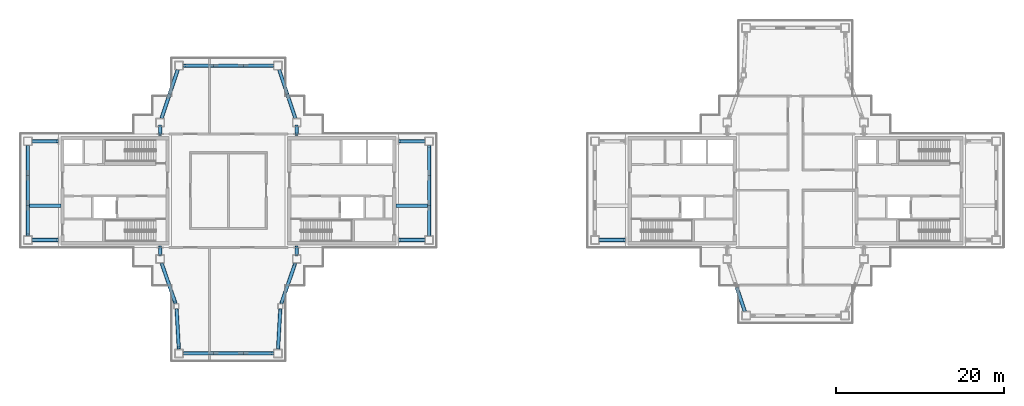
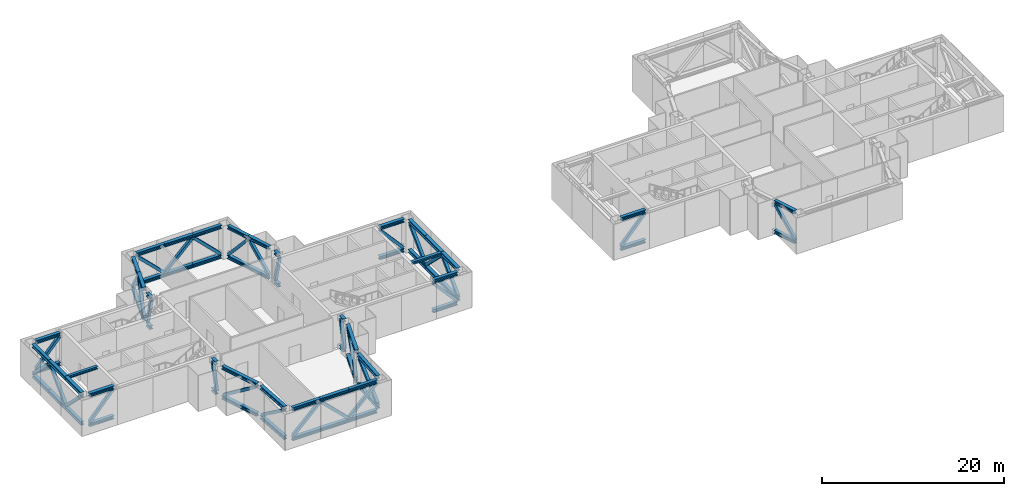
# One storey, part 3 of 18: 90 members, 2 beams.
"""IFC4 building model written with IfcOpenShell, lengths in metres."""

from ifc_helpers import new_model, si_unit, direction, frame, origin, origin_2d, place, context, subcontext, project, spatial, hollow_rectangle, i_section, extrude, material, material_profile, profile_set, type_object, element, save


model = new_model("IFC4")

# Units and contexts
model_context = context("Model", 3, precision=1e-05, world=origin(), true_north=direction((0.0, 1.0)))
body_context = subcontext(model_context, "Body", "Model", "MODEL_VIEW")
ifc_project = project(units=[si_unit("LENGTHUNIT", "METRE"), si_unit("AREAUNIT", "SQUARE_METRE"), si_unit("VOLUMEUNIT", "CUBIC_METRE"), si_unit("PLANEANGLEUNIT", "RADIAN"), si_unit("MASSUNIT", "GRAM", prefix="KILO")], contexts=[model_context])

# Site, building, storey
site_placement = place(None, origin())
site = spatial("IfcSite", under=ifc_project, at=site_placement, CompositionType="ELEMENT")
building_placement = place(site_placement, origin())
building = spatial("IfcBuilding", under=site, at=building_placement, Name="Shamsa Quay Exchange Towers", CompositionType="ELEMENT")
storey_placement = place(building_placement, frame((0.0, 0.0, 225.60009765625)))
storey = spatial("IfcBuildingStorey", under=building, at=storey_placement, Name="L54", CompositionType="ELEMENT", Elevation=225.60009765625)

# Members
ifc_material = material(Name="Steel S355", Category="steel")
ifc_material_profile_1 = material_profile(ifc_material, i_section(OverallWidth=0.42138671875, OverallDepth=0.465087890625, WebThickness=0.044921875, FlangeThickness=0.072021484375, at=origin_2d()), Name="W14x398")
ifc_profile_set_1 = profile_set([ifc_material_profile_1], Name="Steel S355")
member_type_1 = type_object("IfcMemberType", Name="Belt chord W14x398", PredefinedType="CHORD", material=ifc_profile_set_1)
for number, where, z_axis, x_axis, name in (
    (1, (-41.702880859375, -8.625, 4.21728515625), (0.325698743576, -0.945473600072, 0.0), (0.945473600072, 0.325698743576, 0.0), "Belt truss chord T1 L54 3"),
    (2, (-41.702880859375, -8.625, 0.232421875), (0.325698743576, -0.945473600072, 0.0), (0.945473600072, 0.325698743576, 0.0), "Belt truss chord T1 L54 3"),
):
    element("IfcMember", number, at=place(storey_placement, frame(where, z_axis=z_axis, x_axis=x_axis)), inside=storey, type_object=member_type_1, Name=name, PredefinedType="CHORD", context=body_context, shape_type="SweptSolid", body=[
        extrude(i_section(OverallWidth=0.42138671875, OverallDepth=0.465087890625, WebThickness=0.044921875, FlangeThickness=0.072021484375, at=origin_2d()), origin(), (0.0, 0.0, 1.0), 5.103271484375),
    ])
for number, where, z_axis, x_axis, name in (
    (3, (-39.9208984375, -14.050048828125, 4.21728515625), (0.055472817747, -0.99846019775, 0.0), (0.99846019775, 0.055472817747, 0.0), "Belt truss chord T1 L54 4"),
    (4, (-39.9208984375, -14.050048828125, 0.232421875), (0.055472817747, -0.99846019775, 0.0), (0.99846019775, 0.055472817747, 0.0), "Belt truss chord T1 L54 4"),
):
    element("IfcMember", number, at=place(storey_placement, frame(where, z_axis=z_axis, x_axis=x_axis)), inside=storey, type_object=member_type_1, Name=name, PredefinedType="CHORD", context=body_context, shape_type="SweptSolid", body=[
        extrude(i_section(OverallWidth=0.42138671875, OverallDepth=0.465087890625, WebThickness=0.044921875, FlangeThickness=0.072021484375, at=origin_2d()), origin(), (0.0, 0.0, 1.0), 4.832275390625),
    ])
for number, where, z_axis, x_axis, name in (
    (5, (-39.125, -19.375, 4.21728515625), (1.0, 0.0, 0.0), (0.0, 1.0, 0.0), "Belt truss chord T1 L54 5"),
    (6, (-39.125, -19.375, 0.232421875), (1.0, 0.0, 0.0), (0.0, 1.0, 0.0), "Belt truss chord T1 L54 5"),
):
    element("IfcMember", number, at=place(storey_placement, frame(where, z_axis=z_axis, x_axis=x_axis)), inside=storey, type_object=member_type_1, Name=name, PredefinedType="CHORD", context=body_context, shape_type="SweptSolid", body=[
        extrude(i_section(OverallWidth=0.42138671875, OverallDepth=0.465087890625, WebThickness=0.044921875, FlangeThickness=0.072021484375, at=origin_2d()), origin(), (0.0, 0.0, 1.0), 3.583251953125),
    ])
for number, where, z_axis, x_axis, name in (
    (7, (-35.541748046875, -19.375, 4.21728515625), (1.0, 0.0, 0.0), (0.0, 1.0, 0.0), "Belt truss chord T1 L54 5"),
    (8, (-35.541748046875, -19.375, 0.232421875), (1.0, 0.0, 0.0), (0.0, 1.0, 0.0), "Belt truss chord T1 L54 5"),
):
    element("IfcMember", number, at=place(storey_placement, frame(where, z_axis=z_axis, x_axis=x_axis)), inside=storey, type_object=member_type_1, Name=name, PredefinedType="CHORD", context=body_context, shape_type="SweptSolid", body=[
        extrude(i_section(OverallWidth=0.42138671875, OverallDepth=0.465087890625, WebThickness=0.044921875, FlangeThickness=0.072021484375, at=origin_2d()), origin(), (0.0, 0.0, 1.0), 3.58349609375),
    ])
for number, where, z_axis, x_axis, name in (
    (9, (-31.958251953125, -19.375, 4.21728515625), (1.0, 0.0, 0.0), (0.0, 1.0, 0.0), "Belt truss chord T1 L54 5"),
    (10, (-31.958251953125, -19.375, 0.232421875), (1.0, 0.0, 0.0), (0.0, 1.0, 0.0), "Belt truss chord T1 L54 5"),
):
    element("IfcMember", number, at=place(storey_placement, frame(where, z_axis=z_axis, x_axis=x_axis)), inside=storey, type_object=member_type_1, Name=name, PredefinedType="CHORD", context=body_context, shape_type="SweptSolid", body=[
        extrude(i_section(OverallWidth=0.42138671875, OverallDepth=0.465087890625, WebThickness=0.044921875, FlangeThickness=0.072021484375, at=origin_2d()), origin(), (0.0, 0.0, 1.0), 3.583251953125),
    ])
for number, where, z_axis, x_axis, name in (
    (11, (-27.84716796875, -18.875, 4.21728515625), (0.055472817747, 0.99846019775, 0.0), (-0.99846019775, 0.055472817747, 0.0), "Belt truss chord T1 L54 6"),
    (12, (-27.84716796875, -18.875, 0.232421875), (0.055472817747, 0.99846019775, 0.0), (-0.99846019775, 0.055472817747, 0.0), "Belt truss chord T1 L54 6"),
):
    element("IfcMember", number, at=place(storey_placement, frame(where, z_axis=z_axis, x_axis=x_axis)), inside=storey, type_object=member_type_1, Name=name, PredefinedType="CHORD", context=body_context, shape_type="SweptSolid", body=[
        extrude(i_section(OverallWidth=0.42138671875, OverallDepth=0.465087890625, WebThickness=0.044921875, FlangeThickness=0.072021484375, at=origin_2d()), origin(), (0.0, 0.0, 1.0), 4.832275390625),
    ])
for number, where, z_axis, x_axis, name in (
    (13, (-27.459228515625, -13.449951171875, 4.21728515625), (0.325698743576, 0.945473600072, 0.0), (-0.945473600072, 0.325698743576, 0.0), "Belt truss chord T1 L54 7"),
    (14, (-27.459228515625, -13.449951171875, 0.232421875), (0.325698743576, 0.945473600072, 0.0), (-0.945473600072, 0.325698743576, 0.0), "Belt truss chord T1 L54 7"),
):
    element("IfcMember", number, at=place(storey_placement, frame(where, z_axis=z_axis, x_axis=x_axis)), inside=storey, type_object=member_type_1, Name=name, PredefinedType="CHORD", context=body_context, shape_type="SweptSolid", body=[
        extrude(i_section(OverallWidth=0.42138671875, OverallDepth=0.465087890625, WebThickness=0.044921875, FlangeThickness=0.072021484375, at=origin_2d()), origin(), (0.0, 0.0, 1.0), 5.103271484375),
    ])
for number, where, z_axis, x_axis, name in (
    (15, (-9.875, -5.375, 4.21728515625), (0.0, 1.0, 0.0), (-1.0, 0.0, 0.0), "Belt truss chord T1 L54 10"),
    (16, (-9.875, -5.375, 0.232421875), (0.0, 1.0, 0.0), (-1.0, 0.0, 0.0), "Belt truss chord T1 L54 10"),
):
    element("IfcMember", number, at=place(storey_placement, frame(where, z_axis=z_axis, x_axis=x_axis)), inside=storey, type_object=member_type_1, Name=name, PredefinedType="CHORD", context=body_context, shape_type="SweptSolid", body=[
        extrude(i_section(OverallWidth=0.42138671875, OverallDepth=0.465087890625, WebThickness=0.044921875, FlangeThickness=0.072021484375, at=origin_2d()), origin(), (0.0, 0.0, 1.0), 3.583251953125),
    ])
for number, where, z_axis, x_axis, name in (
    (17, (-9.875, -1.791748046875, 4.21728515625), (0.0, 1.0, 0.0), (-1.0, 0.0, 0.0), "Belt truss chord T1 L54 10"),
    (18, (-9.875, -1.791748046875, 0.232421875), (0.0, 1.0, 0.0), (-1.0, 0.0, 0.0), "Belt truss chord T1 L54 10"),
):
    element("IfcMember", number, at=place(storey_placement, frame(where, z_axis=z_axis, x_axis=x_axis)), inside=storey, type_object=member_type_1, Name=name, PredefinedType="CHORD", context=body_context, shape_type="SweptSolid", body=[
        extrude(i_section(OverallWidth=0.42138671875, OverallDepth=0.465087890625, WebThickness=0.044921875, FlangeThickness=0.072021484375, at=origin_2d()), origin(), (0.0, 0.0, 1.0), 3.58349609375),
    ])
for number, where, z_axis, x_axis, name in (
    (19, (-9.875, 1.791748046875, 4.21728515625), (0.0, 1.0, 0.0), (-1.0, 0.0, 0.0), "Belt truss chord T1 L54 10"),
    (20, (-9.875, 1.791748046875, 0.232421875), (0.0, 1.0, 0.0), (-1.0, 0.0, 0.0), "Belt truss chord T1 L54 10"),
):
    element("IfcMember", number, at=place(storey_placement, frame(where, z_axis=z_axis, x_axis=x_axis)), inside=storey, type_object=member_type_1, Name=name, PredefinedType="CHORD", context=body_context, shape_type="SweptSolid", body=[
        extrude(i_section(OverallWidth=0.42138671875, OverallDepth=0.465087890625, WebThickness=0.044921875, FlangeThickness=0.072021484375, at=origin_2d()), origin(), (0.0, 0.0, 1.0), 3.583251953125),
    ])
for number, where, z_axis, x_axis, name in (
    (21, (-25.791748046875, 8.625, 4.21728515625), (-0.316203597486, 0.948691353885, 0.0), (-0.948691353885, -0.316203597486, 0.0), "Belt truss chord T1 L54 13"),
    (22, (-25.791748046875, 8.625, 0.232421875), (-0.316203597486, 0.948691353885, 0.0), (-0.948691353885, -0.316203597486, 0.0), "Belt truss chord T1 L54 13"),
    (23, (-26.75, 11.5, 4.21728515625), (-0.316203597486, 0.948691353885, 0.0), (-0.948691353885, -0.316203597486, 0.0), "Belt truss chord T1 L54 13"),
    (24, (-26.75, 11.5, 0.232421875), (-0.316203597486, 0.948691353885, 0.0), (-0.948691353885, -0.316203597486, 0.0), "Belt truss chord T1 L54 13"),
):
    element("IfcMember", number, at=place(storey_placement, frame(where, z_axis=z_axis, x_axis=x_axis)), inside=storey, type_object=member_type_1, Name=name, PredefinedType="CHORD", context=body_context, shape_type="SweptSolid", body=[
        extrude(i_section(OverallWidth=0.42138671875, OverallDepth=0.465087890625, WebThickness=0.044921875, FlangeThickness=0.072021484375, at=origin_2d()), origin(), (0.0, 0.0, 1.0), 3.030517578125),
    ])
for number, where, z_axis, x_axis, name in (
    (25, (-28.375, 14.875, 4.21728515625), (-1.0, 0.0, 0.0), (0.0, -1.0, 0.0), "Belt truss chord T1 L54 14"),
    (26, (-28.375, 14.875, 0.232421875), (-1.0, 0.0, 0.0), (0.0, -1.0, 0.0), "Belt truss chord T1 L54 14"),
):
    element("IfcMember", number, at=place(storey_placement, frame(where, z_axis=z_axis, x_axis=x_axis)), inside=storey, type_object=member_type_1, Name=name, PredefinedType="CHORD", context=body_context, shape_type="SweptSolid", body=[
        extrude(i_section(OverallWidth=0.42138671875, OverallDepth=0.465087890625, WebThickness=0.044921875, FlangeThickness=0.072021484375, at=origin_2d()), origin(), (0.0, 0.0, 1.0), 3.583251953125),
    ])
for number, where, z_axis, x_axis, name in (
    (27, (-31.958251953125, 14.875, 4.21728515625), (-1.0, 0.0, 0.0), (0.0, -1.0, 0.0), "Belt truss chord T1 L54 14"),
    (28, (-31.958251953125, 14.875, 0.232421875), (-1.0, 0.0, 0.0), (0.0, -1.0, 0.0), "Belt truss chord T1 L54 14"),
):
    element("IfcMember", number, at=place(storey_placement, frame(where, z_axis=z_axis, x_axis=x_axis)), inside=storey, type_object=member_type_1, Name=name, PredefinedType="CHORD", context=body_context, shape_type="SweptSolid", body=[
        extrude(i_section(OverallWidth=0.42138671875, OverallDepth=0.465087890625, WebThickness=0.044921875, FlangeThickness=0.072021484375, at=origin_2d()), origin(), (0.0, 0.0, 1.0), 3.58349609375),
    ])
for number, where, z_axis, x_axis, name in (
    (29, (-35.541748046875, 14.875, 4.21728515625), (-1.0, 0.0, 0.0), (0.0, -1.0, 0.0), "Belt truss chord T1 L54 14"),
    (30, (-35.541748046875, 14.875, 0.232421875), (-1.0, 0.0, 0.0), (0.0, -1.0, 0.0), "Belt truss chord T1 L54 14"),
):
    element("IfcMember", number, at=place(storey_placement, frame(where, z_axis=z_axis, x_axis=x_axis)), inside=storey, type_object=member_type_1, Name=name, PredefinedType="CHORD", context=body_context, shape_type="SweptSolid", body=[
        extrude(i_section(OverallWidth=0.42138671875, OverallDepth=0.465087890625, WebThickness=0.044921875, FlangeThickness=0.072021484375, at=origin_2d()), origin(), (0.0, 0.0, 1.0), 3.583251953125),
    ])
for number, where, z_axis, x_axis, name in (
    (31, (-39.791748046875, 14.375, 4.21728515625), (-0.316203597486, -0.948691353885, 0.0), (0.948691353885, -0.316203597486, 0.0), "Belt truss chord T1 L54 15"),
    (32, (-39.791748046875, 14.375, 0.232421875), (-0.316203597486, -0.948691353885, 0.0), (0.948691353885, -0.316203597486, 0.0), "Belt truss chord T1 L54 15"),
    (33, (-40.75, 11.5, 4.21728515625), (-0.316203597486, -0.948691353885, 0.0), (0.948691353885, -0.316203597486, 0.0), "Belt truss chord T1 L54 15"),
    (34, (-40.75, 11.5, 0.232421875), (-0.316203597486, -0.948691353885, 0.0), (0.948691353885, -0.316203597486, 0.0), "Belt truss chord T1 L54 15"),
):
    element("IfcMember", number, at=place(storey_placement, frame(where, z_axis=z_axis, x_axis=x_axis)), inside=storey, type_object=member_type_1, Name=name, PredefinedType="CHORD", context=body_context, shape_type="SweptSolid", body=[
        extrude(i_section(OverallWidth=0.42138671875, OverallDepth=0.465087890625, WebThickness=0.044921875, FlangeThickness=0.072021484375, at=origin_2d()), origin(), (0.0, 0.0, 1.0), 3.030517578125),
    ])
for number, where, z_axis, x_axis, name in (
    (35, (-57.625, 5.375, 4.21728515625), (0.0, -1.0, 0.0), (1.0, 0.0, 0.0), "Belt truss chord T1 L54 18"),
    (36, (-57.625, 5.375, 0.232421875), (0.0, -1.0, 0.0), (1.0, 0.0, 0.0), "Belt truss chord T1 L54 18"),
):
    element("IfcMember", number, at=place(storey_placement, frame(where, z_axis=z_axis, x_axis=x_axis)), inside=storey, type_object=member_type_1, Name=name, PredefinedType="CHORD", context=body_context, shape_type="SweptSolid", body=[
        extrude(i_section(OverallWidth=0.42138671875, OverallDepth=0.465087890625, WebThickness=0.044921875, FlangeThickness=0.072021484375, at=origin_2d()), origin(), (0.0, 0.0, 1.0), 3.583251953125),
    ])
for number, where, z_axis, x_axis, name in (
    (37, (-57.625, 1.791748046875, 4.21728515625), (0.0, -1.0, 0.0), (1.0, 0.0, 0.0), "Belt truss chord T1 L54 18"),
    (38, (-57.625, 1.791748046875, 0.232421875), (0.0, -1.0, 0.0), (1.0, 0.0, 0.0), "Belt truss chord T1 L54 18"),
):
    element("IfcMember", number, at=place(storey_placement, frame(where, z_axis=z_axis, x_axis=x_axis)), inside=storey, type_object=member_type_1, Name=name, PredefinedType="CHORD", context=body_context, shape_type="SweptSolid", body=[
        extrude(i_section(OverallWidth=0.42138671875, OverallDepth=0.465087890625, WebThickness=0.044921875, FlangeThickness=0.072021484375, at=origin_2d()), origin(), (0.0, 0.0, 1.0), 3.58349609375),
    ])
for number, where, z_axis, x_axis, name in (
    (39, (-57.625, -1.791748046875, 4.21728515625), (0.0, -1.0, 0.0), (1.0, 0.0, 0.0), "Belt truss chord T1 L54 18"),
    (40, (-57.625, -1.791748046875, 0.232421875), (0.0, -1.0, 0.0), (1.0, 0.0, 0.0), "Belt truss chord T1 L54 18"),
):
    element("IfcMember", number, at=place(storey_placement, frame(where, z_axis=z_axis, x_axis=x_axis)), inside=storey, type_object=member_type_1, Name=name, PredefinedType="CHORD", context=body_context, shape_type="SweptSolid", body=[
        extrude(i_section(OverallWidth=0.42138671875, OverallDepth=0.465087890625, WebThickness=0.044921875, FlangeThickness=0.072021484375, at=origin_2d()), origin(), (0.0, 0.0, 1.0), 3.583251953125),
    ])
for number, where, z_axis, x_axis, name in (
    (41, (26.75, -11.5, 4.21728515625), (0.316203597486, -0.948691353885, 0.0), (0.948691353885, 0.316203597486, 0.0), "Belt truss chord T2 L54 3"),
    (42, (26.75, -11.5, 0.232421875), (0.316203597486, -0.948691353885, 0.0), (0.948691353885, 0.316203597486, 0.0), "Belt truss chord T2 L54 3"),
):
    element("IfcMember", number, at=place(storey_placement, frame(where, z_axis=z_axis, x_axis=x_axis)), inside=storey, type_object=member_type_1, Name=name, PredefinedType="CHORD", context=body_context, shape_type="SweptSolid", body=[
        extrude(i_section(OverallWidth=0.42138671875, OverallDepth=0.465087890625, WebThickness=0.044921875, FlangeThickness=0.072021484375, at=origin_2d()), origin(), (0.0, 0.0, 1.0), 3.030517578125),
    ])
ifc_material_profile_2 = material_profile(ifc_material, hollow_rectangle(XDim=0.355712890625, YDim=0.355712890625, WallThickness=0.015869140625, at=origin_2d()), Name="HSS14x14x5/8")
ifc_profile_set_2 = profile_set([ifc_material_profile_2], Name="Steel S355")
member_type_2 = type_object("IfcMemberType", Name="Belt diagonal HSS14x14x5/8", PredefinedType="BRACE", material=ifc_profile_set_2)
member_1_placement = place(storey_placement, frame((-41.6337890625, -8.82568359375, 0.611328125), z_axis=(0.26812273259, -0.778294743961, 0.56777415562), x_axis=(0.945468319902, 0.325714071021, 0.0)))
element("IfcMember", 43, at=member_1_placement, inside=storey, type_object=member_type_2, Name="Belt truss diagonal T1 L54 3", PredefinedType="BRACE", context=body_context, shape_type="SweptSolid", body=[
    extrude(hollow_rectangle(XDim=0.355712890625, YDim=0.355712890625, WallThickness=0.015869140625, at=origin_2d()), origin(), (0.0, 0.0, 1.0), 5.68359375),
])
member_2_placement = place(storey_placement, frame((-39.909912109375, -14.2470703125, 0.608642578125), z_axis=(0.044824361633, -0.807060852452, 0.588764432556), x_axis=(0.998461199469, 0.055454784785, 0.0)))
element("IfcMember", 44, at=member_2_placement, inside=storey, type_object=member_type_2, Name="Belt truss diagonal T1 L54 4", PredefinedType="BRACE", context=body_context, shape_type="SweptSolid", body=[
    extrude(hollow_rectangle(XDim=0.355712890625, YDim=0.355712890625, WallThickness=0.015869140625, at=origin_2d()), origin(), (0.0, 0.0, 1.0), 5.490234375),
])
for number, where, z_axis, x_axis, name in (
    (45, (-38.995849609375, -19.375, 0.591796875), (0.713390640868, 0.0, 0.700766575632), (0.0, 1.0, 0.0), "Belt truss diagonal T1 L54 5"),
    (46, (-32.08740234375, -19.375, 0.591796875), (-0.71341636286, 0.0, 0.700740389305), (0.0, -1.0, 0.0), "Belt truss diagonal T1 L54 5"),
    (47, (-31.8291015625, -19.375, 0.591796875), (0.713390640868, 0.0, 0.700766575632), (0.0, 1.0, 0.0), "Belt truss diagonal T1 L54 5"),
):
    element("IfcMember", number, at=place(storey_placement, frame(where, z_axis=z_axis, x_axis=x_axis)), inside=storey, type_object=member_type_2, Name=name, PredefinedType="BRACE", context=body_context, shape_type="SweptSolid", body=[
        extrude(hollow_rectangle(XDim=0.355712890625, YDim=0.355712890625, WallThickness=0.015869140625, at=origin_2d()), origin(), (0.0, 0.0, 1.0), 4.660888671875),
    ])
member_3_placement = place(storey_placement, frame((-27.836181640625, -18.677978515625, 0.608642578125), z_axis=(0.044824361633, 0.807060852452, 0.588764432556), x_axis=(-0.998461199469, 0.055454784785, 0.0)))
element("IfcMember", 48, at=member_3_placement, inside=storey, type_object=member_type_2, Name="Belt truss diagonal T1 L54 6", PredefinedType="BRACE", context=body_context, shape_type="SweptSolid", body=[
    extrude(hollow_rectangle(XDim=0.355712890625, YDim=0.355712890625, WallThickness=0.015869140625, at=origin_2d()), origin(), (0.0, 0.0, 1.0), 5.490234375),
])
member_4_placement = place(storey_placement, frame((-27.39013671875, -13.249267578125, 0.611328125), z_axis=(0.26812273259, 0.778294743961, 0.56777415562), x_axis=(-0.945468319902, 0.325714071021, 0.0)))
element("IfcMember", 49, at=member_4_placement, inside=storey, type_object=member_type_2, Name="Belt truss diagonal T1 L54 7", PredefinedType="BRACE", context=body_context, shape_type="SweptSolid", body=[
    extrude(hollow_rectangle(XDim=0.355712890625, YDim=0.355712890625, WallThickness=0.015869140625, at=origin_2d()), origin(), (0.0, 0.0, 1.0), 5.68359375),
])
for number, where, z_axis, x_axis, name in (
    (50, (-9.875, -5.245849609375, 0.591796875), (0.0, 0.713390640868, 0.700766575632), (-1.0, 0.0, 0.0), "Belt truss diagonal T1 L54 10"),
    (51, (-9.875, 1.66259765625, 0.591796875), (0.0, -0.71341636286, 0.700740389305), (1.0, 0.0, 0.0), "Belt truss diagonal T1 L54 10"),
    (52, (-9.875, 1.9208984375, 0.591796875), (0.0, 0.713390640868, 0.700766575632), (-1.0, 0.0, 0.0), "Belt truss diagonal T1 L54 10"),
):
    element("IfcMember", number, at=place(storey_placement, frame(where, z_axis=z_axis, x_axis=x_axis)), inside=storey, type_object=member_type_2, Name=name, PredefinedType="BRACE", context=body_context, shape_type="SweptSolid", body=[
        extrude(hollow_rectangle(XDim=0.355712890625, YDim=0.355712890625, WallThickness=0.015869140625, at=origin_2d()), origin(), (0.0, 0.0, 1.0), 4.660888671875),
    ])
for number, where, z_axis, x_axis, name in (
    (53, (-25.8232421875, 8.7197265625, 0.5810546875), (-0.206347897913, 0.618987422156, 0.757809419471), (-0.948674673382, -0.316253638845, 0.0), "Belt truss diagonal T1 L54 13"),
    (54, (-27.6767578125, 14.2802734375, 0.5810546875), (0.206347897913, -0.618987422156, 0.757809419471), (0.948674673382, 0.316253638845, 0.0), "Belt truss diagonal T1 L54 13"),
):
    element("IfcMember", number, at=place(storey_placement, frame(where, z_axis=z_axis, x_axis=x_axis)), inside=storey, type_object=member_type_2, Name=name, PredefinedType="BRACE", context=body_context, shape_type="SweptSolid", body=[
        extrude(hollow_rectangle(XDim=0.355712890625, YDim=0.355712890625, WallThickness=0.015869140625, at=origin_2d()), origin(), (0.0, 0.0, 1.0), 4.338623046875),
    ])
for number, where, z_axis, x_axis, name in (
    (55, (-28.504150390625, 14.875, 0.591796875), (-0.713390640868, 0.0, 0.700766575632), (0.0, -1.0, 0.0), "Belt truss diagonal T1 L54 14"),
    (56, (-35.41259765625, 14.875, 0.591796875), (0.71341636286, 0.0, 0.700740389305), (0.0, 1.0, 0.0), "Belt truss diagonal T1 L54 14"),
    (57, (-35.6708984375, 14.875, 0.591796875), (-0.713390640868, 0.0, 0.700766575632), (0.0, -1.0, 0.0), "Belt truss diagonal T1 L54 14"),
):
    element("IfcMember", number, at=place(storey_placement, frame(where, z_axis=z_axis, x_axis=x_axis)), inside=storey, type_object=member_type_2, Name=name, PredefinedType="BRACE", context=body_context, shape_type="SweptSolid", body=[
        extrude(hollow_rectangle(XDim=0.355712890625, YDim=0.355712890625, WallThickness=0.015869140625, at=origin_2d()), origin(), (0.0, 0.0, 1.0), 4.660888671875),
    ])
for number, where, z_axis, x_axis, name in (
    (58, (-39.8232421875, 14.2802734375, 0.5810546875), (-0.206347897913, -0.618987422156, 0.757809419471), (0.948674673382, -0.316253638845, 0.0), "Belt truss diagonal T1 L54 15"),
    (59, (-41.6767578125, 8.7197265625, 0.5810546875), (0.206347897913, 0.618987422156, 0.757809419471), (-0.948674673382, 0.316253638845, 0.0), "Belt truss diagonal T1 L54 15"),
):
    element("IfcMember", number, at=place(storey_placement, frame(where, z_axis=z_axis, x_axis=x_axis)), inside=storey, type_object=member_type_2, Name=name, PredefinedType="BRACE", context=body_context, shape_type="SweptSolid", body=[
        extrude(hollow_rectangle(XDim=0.355712890625, YDim=0.355712890625, WallThickness=0.015869140625, at=origin_2d()), origin(), (0.0, 0.0, 1.0), 4.338623046875),
    ])
for number, where, z_axis, x_axis, name in (
    (60, (-57.625, 5.245849609375, 0.591796875), (0.0, -0.713390640868, 0.700766575632), (1.0, 0.0, 0.0), "Belt truss diagonal T1 L54 18"),
    (61, (-57.625, -1.66259765625, 0.591796875), (0.0, 0.71341636286, 0.700740389305), (-1.0, 0.0, 0.0), "Belt truss diagonal T1 L54 18"),
    (62, (-57.625, -1.9208984375, 0.591796875), (0.0, -0.713390640868, 0.700766575632), (1.0, 0.0, 0.0), "Belt truss diagonal T1 L54 18"),
):
    element("IfcMember", number, at=place(storey_placement, frame(where, z_axis=z_axis, x_axis=x_axis)), inside=storey, type_object=member_type_2, Name=name, PredefinedType="BRACE", context=body_context, shape_type="SweptSolid", body=[
        extrude(hollow_rectangle(XDim=0.355712890625, YDim=0.355712890625, WallThickness=0.015869140625, at=origin_2d()), origin(), (0.0, 0.0, 1.0), 4.660888671875),
    ])
member_5_placement = place(storey_placement, frame((27.6767578125, -14.2802734375, 0.5810546875), z_axis=(-0.206347897913, 0.618987422156, 0.757809419471), x_axis=(-0.948674673382, -0.316253638845, 0.0)))
element("IfcMember", 63, at=member_5_placement, inside=storey, type_object=member_type_2, Name="Belt truss diagonal T2 L54 3", PredefinedType="BRACE", context=body_context, shape_type="SweptSolid", body=[
    extrude(hollow_rectangle(XDim=0.355712890625, YDim=0.355712890625, WallThickness=0.015869140625, at=origin_2d()), origin(), (0.0, 0.0, 1.0), 4.338623046875),
])

# Beams
ifc_material_profile_3 = material_profile(ifc_material, i_section(OverallWidth=0.368896484375, OverallDepth=0.356201171875, WebThickness=0.01123046875, FlangeThickness=0.01806640625, at=origin_2d()), Name="W14x90")
ifc_profile_set_3 = profile_set([ifc_material_profile_3], Name="Steel S355")
beam_type = type_object("IfcBeamType", Name="End-zone beam W14x90", PredefinedType="BEAM", material=ifc_profile_set_3)
for number, where, z_axis, x_axis, name in (
    (64, (-13.800048828125, -1.800048828125, 4.27197265625), (1.0, 0.0, 0.0), (0.0, 1.0, 0.0), "Spine beam T1 U+ end zone L54"),
    (65, (-53.699951171875, -1.800048828125, 4.27197265625), (-1.0, 0.0, 0.0), (0.0, -1.0, 0.0), "Spine beam T1 U- end zone L54"),
):
    element("IfcBeam", number, at=place(storey_placement, frame(where, z_axis=z_axis, x_axis=x_axis)), inside=storey, type_object=beam_type, Name=name, PredefinedType="BEAM", context=body_context, shape_type="SweptSolid", body=[
        extrude(i_section(OverallWidth=0.368896484375, OverallDepth=0.356201171875, WebThickness=0.01123046875, FlangeThickness=0.01806640625, at=origin_2d()), origin(), (0.0, 0.0, 1.0), 3.71435546875),
    ])

# Members
ifc_material_profile_4 = material_profile(ifc_material, i_section(OverallWidth=0.42138671875, OverallDepth=0.465087890625, WebThickness=0.044921875, FlangeThickness=0.072021484375, at=origin_2d()), Name="W14x398")
ifc_profile_set_4 = profile_set([ifc_material_profile_4], Name="Steel S355")
member_type_3 = type_object("IfcMemberType", Name="Outrigger chord W14x398", PredefinedType="CHORD", material=ifc_profile_set_4)
for number, where, z_axis, x_axis, name in (
    (66, (-57.125, -5.875, 4.21728515625), (1.0, 0.0, 0.0), (0.0, 1.0, 0.0), "Outrigger truss chord T1 L54 1"),
    (67, (-57.125, -5.875, 0.232421875), (1.0, 0.0, 0.0), (0.0, 1.0, 0.0), "Outrigger truss chord T1 L54 1"),
):
    element("IfcMember", number, at=place(storey_placement, frame(where, z_axis=z_axis, x_axis=x_axis)), inside=storey, type_object=member_type_3, Name=name, PredefinedType="CHORD", context=body_context, shape_type="SweptSolid", body=[
        extrude(i_section(OverallWidth=0.42138671875, OverallDepth=0.465087890625, WebThickness=0.044921875, FlangeThickness=0.072021484375, at=origin_2d()), origin(), (0.0, 0.0, 1.0), 3.125),
    ])
for number, where, z_axis, x_axis, name in (
    (68, (-41.875, -7.625, 4.21728515625), (0.0, 1.0, 0.0), (-1.0, 0.0, 0.0), "Outrigger truss chord T1 L54 2"),
    (69, (-41.875, -7.625, 0.232421875), (0.0, 1.0, 0.0), (-1.0, 0.0, 0.0), "Outrigger truss chord T1 L54 2"),
    (70, (-25.625, -7.625, 4.21728515625), (0.0, 1.0, 0.0), (-1.0, 0.0, 0.0), "Outrigger truss chord T1 L54 8"),
    (71, (-25.625, -7.625, 0.232421875), (0.0, 1.0, 0.0), (-1.0, 0.0, 0.0), "Outrigger truss chord T1 L54 8"),
):
    element("IfcMember", number, at=place(storey_placement, frame(where, z_axis=z_axis, x_axis=x_axis)), inside=storey, type_object=member_type_3, Name=name, PredefinedType="CHORD", context=body_context, shape_type="SweptSolid", body=[
        extrude(i_section(OverallWidth=0.42138671875, OverallDepth=0.465087890625, WebThickness=0.044921875, FlangeThickness=0.072021484375, at=origin_2d()), origin(), (0.0, 0.0, 1.0), 0.875),
    ])
for number, where, z_axis, x_axis, name in (
    (72, (-10.375, -5.875, 4.21728515625), (-1.0, 0.0, 0.0), (0.0, -1.0, 0.0), "Outrigger truss chord T1 L54 9"),
    (73, (-10.375, -5.875, 0.232421875), (-1.0, 0.0, 0.0), (0.0, -1.0, 0.0), "Outrigger truss chord T1 L54 9"),
    (74, (-10.375, 5.875, 4.21728515625), (-1.0, 0.0, 0.0), (0.0, -1.0, 0.0), "Outrigger truss chord T1 L54 11"),
    (75, (-10.375, 5.875, 0.232421875), (-1.0, 0.0, 0.0), (0.0, -1.0, 0.0), "Outrigger truss chord T1 L54 11"),
):
    element("IfcMember", number, at=place(storey_placement, frame(where, z_axis=z_axis, x_axis=x_axis)), inside=storey, type_object=member_type_3, Name=name, PredefinedType="CHORD", context=body_context, shape_type="SweptSolid", body=[
        extrude(i_section(OverallWidth=0.42138671875, OverallDepth=0.465087890625, WebThickness=0.044921875, FlangeThickness=0.072021484375, at=origin_2d()), origin(), (0.0, 0.0, 1.0), 3.125),
    ])
for number, where, z_axis, x_axis, name in (
    (76, (-25.625, 7.625, 4.21728515625), (0.0, -1.0, 0.0), (1.0, 0.0, 0.0), "Outrigger truss chord T1 L54 12"),
    (77, (-25.625, 7.625, 0.232421875), (0.0, -1.0, 0.0), (1.0, 0.0, 0.0), "Outrigger truss chord T1 L54 12"),
    (78, (-41.875, 7.625, 4.21728515625), (0.0, -1.0, 0.0), (1.0, 0.0, 0.0), "Outrigger truss chord T1 L54 16"),
    (79, (-41.875, 7.625, 0.232421875), (0.0, -1.0, 0.0), (1.0, 0.0, 0.0), "Outrigger truss chord T1 L54 16"),
):
    element("IfcMember", number, at=place(storey_placement, frame(where, z_axis=z_axis, x_axis=x_axis)), inside=storey, type_object=member_type_3, Name=name, PredefinedType="CHORD", context=body_context, shape_type="SweptSolid", body=[
        extrude(i_section(OverallWidth=0.42138671875, OverallDepth=0.465087890625, WebThickness=0.044921875, FlangeThickness=0.072021484375, at=origin_2d()), origin(), (0.0, 0.0, 1.0), 0.875),
    ])
for number, where, z_axis, x_axis, name in (
    (80, (-57.125, 5.875, 4.21728515625), (1.0, 0.0, 0.0), (0.0, 1.0, 0.0), "Outrigger truss chord T1 L54 17"),
    (81, (-57.125, 5.875, 0.232421875), (1.0, 0.0, 0.0), (0.0, 1.0, 0.0), "Outrigger truss chord T1 L54 17"),
    (82, (10.375, -5.875, 4.21728515625), (1.0, 0.0, 0.0), (0.0, 1.0, 0.0), "Outrigger truss chord T2 L54 1"),
    (83, (10.375, -5.875, 0.232421875), (1.0, 0.0, 0.0), (0.0, 1.0, 0.0), "Outrigger truss chord T2 L54 1"),
):
    element("IfcMember", number, at=place(storey_placement, frame(where, z_axis=z_axis, x_axis=x_axis)), inside=storey, type_object=member_type_3, Name=name, PredefinedType="CHORD", context=body_context, shape_type="SweptSolid", body=[
        extrude(i_section(OverallWidth=0.42138671875, OverallDepth=0.465087890625, WebThickness=0.044921875, FlangeThickness=0.072021484375, at=origin_2d()), origin(), (0.0, 0.0, 1.0), 3.125),
    ])
ifc_material_profile_5 = material_profile(ifc_material, hollow_rectangle(XDim=0.355712890625, YDim=0.355712890625, WallThickness=0.015869140625, at=origin_2d()), Name="HSS14x14x5/8")
ifc_profile_set_5 = profile_set([ifc_material_profile_5], Name="Steel S355")
member_type_4 = type_object("IfcMemberType", Name="Outrigger diagonal HSS14x14x5/8", PredefinedType="BRACE", material=ifc_profile_set_5)
member_6_placement = place(storey_placement, frame((-57.020263671875, -5.875, 0.5830078125), z_axis=(0.663942727815, 0.0, 0.747783427325), x_axis=(0.0, 1.0, 0.0)))
element("IfcMember", 84, at=member_6_placement, inside=storey, type_object=member_type_4, Name="Outrigger truss diagonal T1 L54 1", PredefinedType="BRACE", context=body_context, shape_type="SweptSolid", body=[
    extrude(hollow_rectangle(XDim=0.355712890625, YDim=0.355712890625, WallThickness=0.015869140625, at=origin_2d()), origin(), (0.0, 0.0, 1.0), 4.39111328125),
])
for number, where, z_axis, x_axis, name in (
    (85, (-41.875, -7.6142578125, 0.5078125), (0.0, 0.241204211804, 0.970474383077), (-1.0, 0.0, 0.0), "Outrigger truss diagonal T1 L54 2"),
    (86, (-25.625, -7.6142578125, 0.5078125), (0.0, 0.241204211804, 0.970474383077), (-1.0, 0.0, 0.0), "Outrigger truss diagonal T1 L54 8"),
):
    element("IfcMember", number, at=place(storey_placement, frame(where, z_axis=z_axis, x_axis=x_axis)), inside=storey, type_object=member_type_4, Name=name, PredefinedType="BRACE", context=body_context, shape_type="SweptSolid", body=[
        extrude(hollow_rectangle(XDim=0.355712890625, YDim=0.355712890625, WallThickness=0.015869140625, at=origin_2d()), origin(), (0.0, 0.0, 1.0), 3.53857421875),
    ])
for number, where, z_axis, x_axis, name in (
    (87, (-10.479736328125, -5.875, 0.5830078125), (-0.663942727815, 0.0, 0.747783427325), (0.0, -1.0, 0.0), "Outrigger truss diagonal T1 L54 9"),
    (88, (-10.479736328125, 5.875, 0.5830078125), (-0.663942727815, 0.0, 0.747783427325), (0.0, -1.0, 0.0), "Outrigger truss diagonal T1 L54 11"),
):
    element("IfcMember", number, at=place(storey_placement, frame(where, z_axis=z_axis, x_axis=x_axis)), inside=storey, type_object=member_type_4, Name=name, PredefinedType="BRACE", context=body_context, shape_type="SweptSolid", body=[
        extrude(hollow_rectangle(XDim=0.355712890625, YDim=0.355712890625, WallThickness=0.015869140625, at=origin_2d()), origin(), (0.0, 0.0, 1.0), 4.39111328125),
    ])
for number, where, z_axis, x_axis, name in (
    (89, (-25.625, 7.6142578125, 0.5078125), (0.0, -0.241204211804, 0.970474383077), (1.0, 0.0, 0.0), "Outrigger truss diagonal T1 L54 12"),
    (90, (-41.875, 7.6142578125, 0.5078125), (0.0, -0.241204211804, 0.970474383077), (1.0, 0.0, 0.0), "Outrigger truss diagonal T1 L54 16"),
):
    element("IfcMember", number, at=place(storey_placement, frame(where, z_axis=z_axis, x_axis=x_axis)), inside=storey, type_object=member_type_4, Name=name, PredefinedType="BRACE", context=body_context, shape_type="SweptSolid", body=[
        extrude(hollow_rectangle(XDim=0.355712890625, YDim=0.355712890625, WallThickness=0.015869140625, at=origin_2d()), origin(), (0.0, 0.0, 1.0), 3.53857421875),
    ])
for number, where, z_axis, x_axis, name in (
    (91, (-57.020263671875, 5.875, 0.5830078125), (0.663942727815, 0.0, 0.747783427325), (0.0, 1.0, 0.0), "Outrigger truss diagonal T1 L54 17"),
    (92, (10.479736328125, -5.875, 0.5830078125), (0.663942727815, 0.0, 0.747783427325), (0.0, 1.0, 0.0), "Outrigger truss diagonal T2 L54 1"),
):
    element("IfcMember", number, at=place(storey_placement, frame(where, z_axis=z_axis, x_axis=x_axis)), inside=storey, type_object=member_type_4, Name=name, PredefinedType="BRACE", context=body_context, shape_type="SweptSolid", body=[
        extrude(hollow_rectangle(XDim=0.355712890625, YDim=0.355712890625, WallThickness=0.015869140625, at=origin_2d()), origin(), (0.0, 0.0, 1.0), 4.39111328125),
    ])

save(model, "model.ifc")
